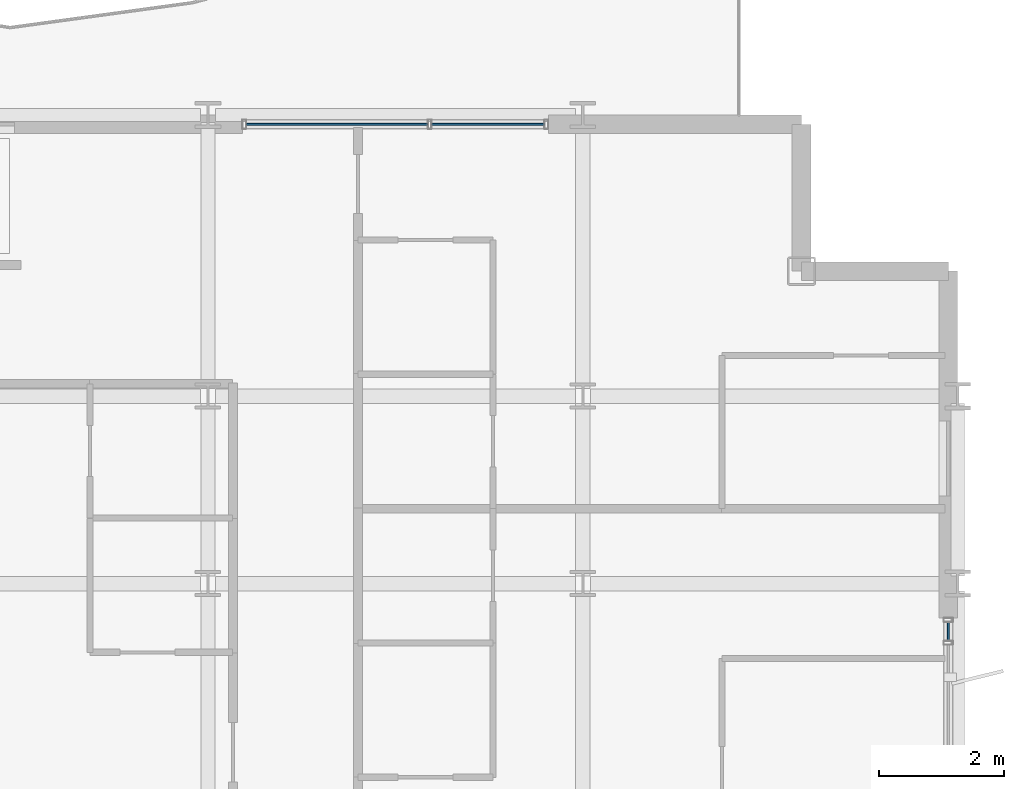
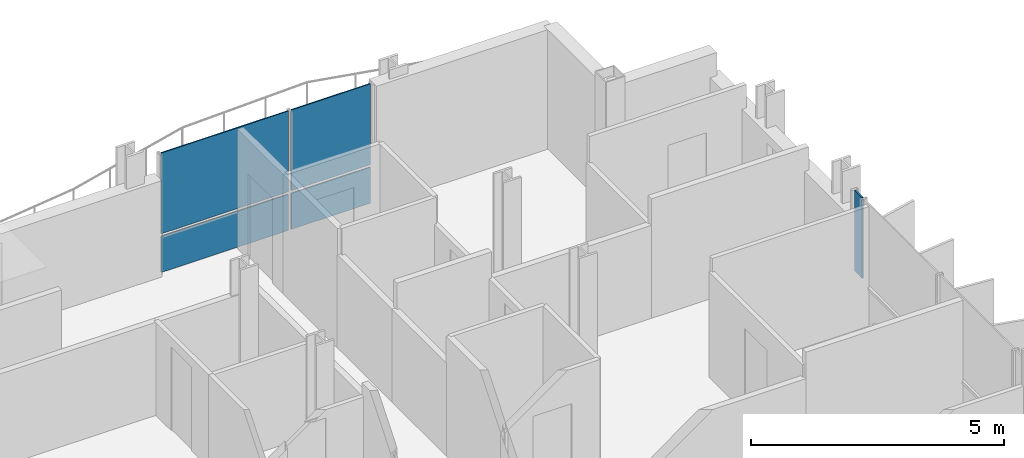
# One storey, part 24 of 39: 5 plates, 2 elements without a shape of their own.
"""IFC4 building model written with IfcOpenShell, lengths in metres."""

from ifc_helpers import new_model, si_unit, direction, frame, origin, origin_2d, place, context, subcontext, project, spatial, rectangle, extrude, material, layer, layer_set, type_object, element, aggregate, save


model = new_model("IFC4")

# Units and contexts
model_context = context("Model", 3, precision=1e-05, world=origin(), true_north=direction((0.0, 1.0)))
body_context = subcontext(model_context, "Body", "Model", "MODEL_VIEW")
ifc_project = project(units=[si_unit("LENGTHUNIT", "METRE"), si_unit("AREAUNIT", "SQUARE_METRE"), si_unit("VOLUMEUNIT", "CUBIC_METRE"), si_unit("PLANEANGLEUNIT", "RADIAN"), si_unit("MASSUNIT", "GRAM", prefix="KILO")], contexts=[model_context])

# Site, building, storey
site_placement = place(None, origin())
site = spatial("IfcSite", under=ifc_project, at=site_placement, CompositionType="ELEMENT")
building_placement = place(site_placement, origin())
building = spatial("IfcBuilding", under=site, at=building_placement, Name="Brevholm Reach", CompositionType="ELEMENT")
storey_placement = place(building_placement, frame((0.0, 0.0, 103.5)))
storey = spatial("IfcBuildingStorey", under=building, at=storey_placement, Name="L30", CompositionType="ELEMENT", Elevation=103.5)

# Curtain wall, plate
ifc_material_1 = material(Name="Dark Anodised Aluminium 6063-T6 and Solar-Control Glass", Category="aluminium")
ifc_layer_1 = layer(ifc_material_1, 0.14990234375)
ifc_layer_set_1 = layer_set([ifc_layer_1], Name="Dark Anodised Aluminium 6063-T6 and Solar-Control Glass")
curtain_wall_type = type_object("IfcCurtainWallType", Name="CW-01", PredefinedType="NOTDEFINED", material=ifc_layer_set_1)
curtain_wall_1_placement = place(storey_placement, origin())
curtain_wall_1 = element("IfcCurtainWall", 1, at=curtain_wall_1_placement, inside=storey, type_object=curtain_wall_type, Name="L30 Curtain Wall CW-01", PredefinedType="NOTDEFINED")
ifc_material_2 = material(Name="Dark Solar-Control Double-Glazed IGU Glass", Category="glass")
ifc_layer_2 = layer(ifc_material_2, 0.028076171875)
ifc_layer_set_2 = layer_set([ifc_layer_2], Name="Dark Solar-Control Double-Glazed IGU Glass")
plate_type = type_object("IfcPlateType", Name="CWP-GLZ-28", PredefinedType="CURTAIN_PANEL", material=ifc_layer_set_2)
plate_1_placement = place(storey_placement, frame((59.85009765625, 22.733642578125, 0.9326171875), z_axis=(0.0, 0.0, 1.0), x_axis=(0.0, 1.0, 0.0)))
plate_1 = element("IfcPlate", 2, at=plate_1_placement, type_object=plate_type, Name="CP-01 Glazing Panel 5.2", PredefinedType="CURTAIN_PANEL", context=body_context, shape_type="SweptSolid", body=[
    extrude(rectangle(XDim=0.302490234375, YDim=0.028076171875, at=origin_2d()), origin(), (0.0, 0.0, 1.0), 1.947509765625),
])
aggregate(curtain_wall_1, [plate_1])

# Curtain wall, plates
curtain_wall_2_placement = place(storey_placement, origin())
curtain_wall_2 = element("IfcCurtainWall", 3, at=curtain_wall_2_placement, inside=storey, type_object=curtain_wall_type, Name="L30 Curtain Wall CW-01", PredefinedType="NOTDEFINED")
plate_2_placement = place(storey_placement, frame((50.066162109375, 30.85009765625, 0.0), z_axis=(0.0, 0.0, 1.0), x_axis=(1.0, 0.0, 0.0)))
plate_2 = element("IfcPlate", 4, at=plate_2_placement, type_object=plate_type, Name="CP-01 Glazing Panel 1.1", PredefinedType="CURTAIN_PANEL", context=body_context, shape_type="SweptSolid", body=[
    extrude(rectangle(XDim=2.902587890625, YDim=0.028076171875, at=origin_2d()), origin(), (0.0, 0.0, 1.0), 0.867431640625),
])
plate_3_placement = place(storey_placement, frame((50.066162109375, 30.85009765625, 0.9326171875), z_axis=(0.0, 0.0, 1.0), x_axis=(1.0, 0.0, 0.0)))
plate_3 = element("IfcPlate", 5, at=plate_3_placement, type_object=plate_type, Name="CP-01 Glazing Panel 1.2", PredefinedType="CURTAIN_PANEL", context=body_context, shape_type="SweptSolid", body=[
    extrude(rectangle(XDim=2.902587890625, YDim=0.028076171875, at=origin_2d()), origin(), (0.0, 0.0, 1.0), 1.947509765625),
])
plate_4_placement = place(storey_placement, frame((52.483642578125, 30.85009765625, 0.0), z_axis=(0.0, 0.0, 1.0), x_axis=(1.0, 0.0, 0.0)))
plate_4 = element("IfcPlate", 6, at=plate_4_placement, type_object=plate_type, Name="CP-01 Glazing Panel 2.1", PredefinedType="CURTAIN_PANEL", context=body_context, shape_type="SweptSolid", body=[
    extrude(rectangle(XDim=1.802490234375, YDim=0.028076171875, at=origin_2d()), origin(), (0.0, 0.0, 1.0), 0.867431640625),
])
plate_5_placement = place(storey_placement, frame((52.483642578125, 30.85009765625, 0.9326171875), z_axis=(0.0, 0.0, 1.0), x_axis=(1.0, 0.0, 0.0)))
plate_5 = element("IfcPlate", 7, at=plate_5_placement, type_object=plate_type, Name="CP-01 Glazing Panel 2.2", PredefinedType="CURTAIN_PANEL", context=body_context, shape_type="SweptSolid", body=[
    extrude(rectangle(XDim=1.802490234375, YDim=0.028076171875, at=origin_2d()), origin(), (0.0, 0.0, 1.0), 1.947509765625),
])
aggregate(curtain_wall_2, [plate_2, plate_3, plate_4, plate_5])

save(model, "model.ifc")
